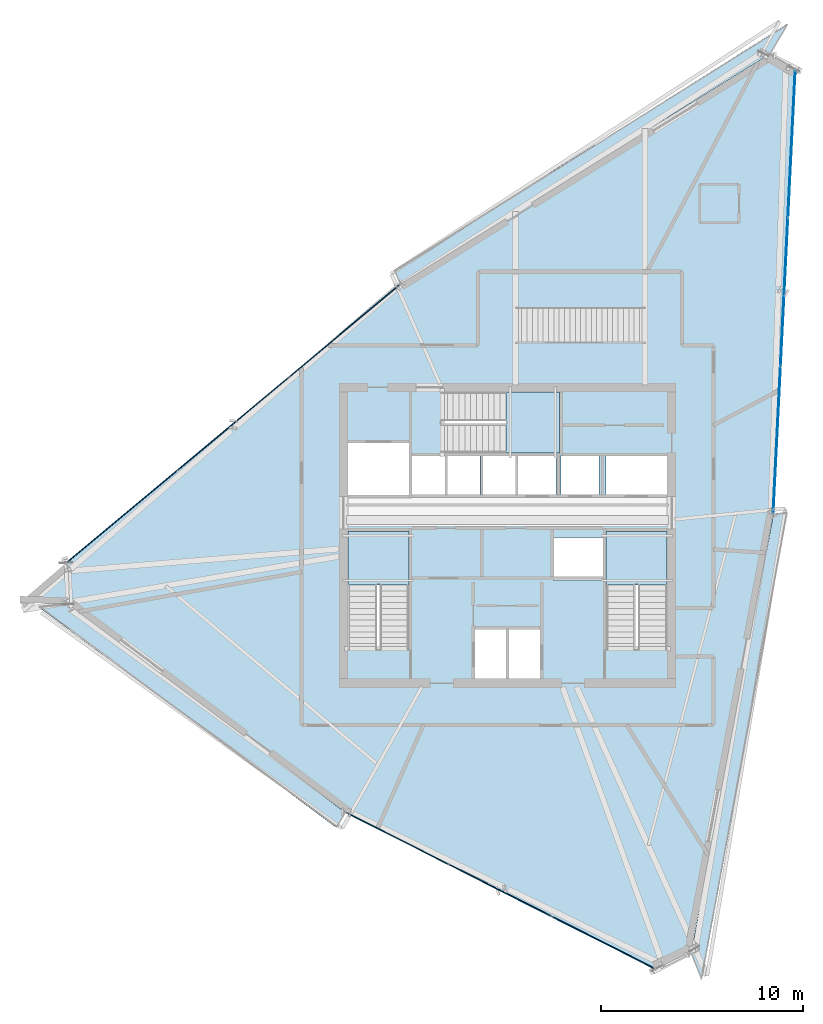
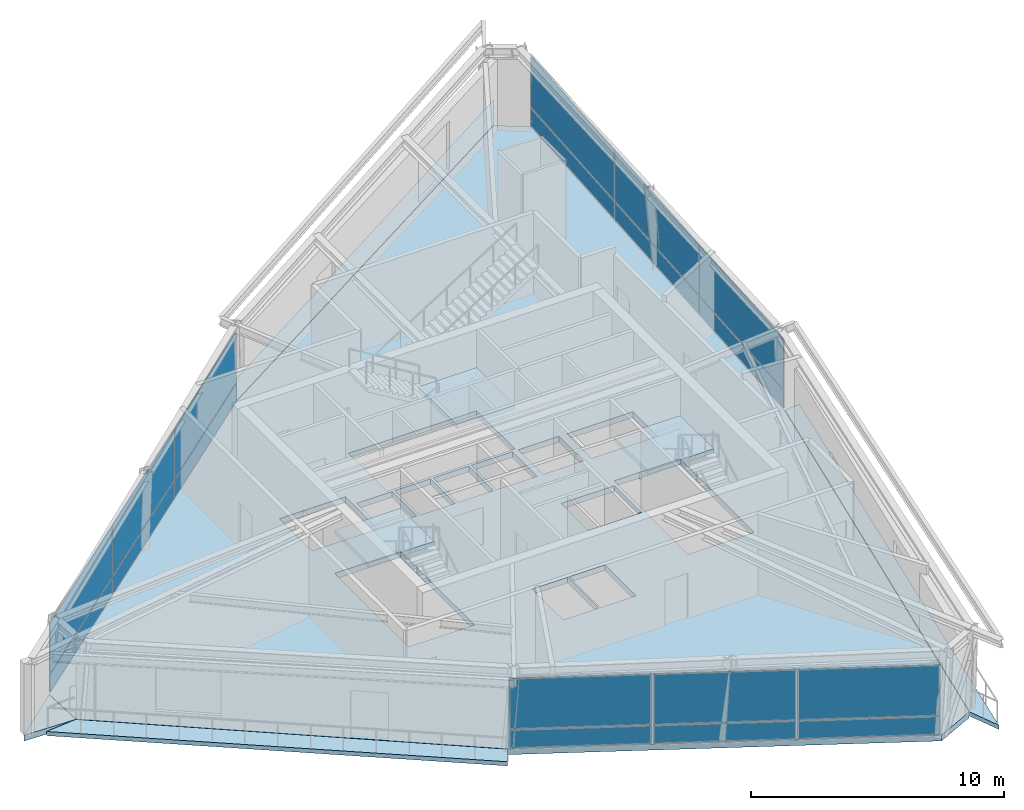
# One storey, part 13 of 21: 18 plates, 8 slabs, 6 elements without a shape of their own.
"""IFC4 building model written with IfcOpenShell, lengths in metres."""

from ifc_helpers import new_model, si_unit, direction, frame, origin, origin_2d, place, context, subcontext, project, spatial, polyline, rectangle, outline, extrude, source, transform, mapped, material, layer, layer_set, type_object, element, aggregate, save


model = new_model("IFC4")

# Units and contexts
model_context = context("Model", 3, precision=1e-05, world=origin(), true_north=direction((0.0, 1.0)))
body_context = subcontext(model_context, "Body", "Model", "MODEL_VIEW")
ifc_project = project(units=[si_unit("LENGTHUNIT", "METRE"), si_unit("AREAUNIT", "SQUARE_METRE"), si_unit("VOLUMEUNIT", "CUBIC_METRE"), si_unit("PLANEANGLEUNIT", "RADIAN"), si_unit("MASSUNIT", "GRAM", prefix="KILO")], contexts=[model_context])

# Site, building, storey
site_placement = place(None, origin())
site = spatial("IfcSite", under=ifc_project, at=site_placement, CompositionType="ELEMENT")
building_placement = place(site_placement, origin())
building = spatial("IfcBuilding", under=site, at=building_placement, Name="Olszyna Solenne Hotel", CompositionType="ELEMENT")
storey_placement = place(building_placement, frame((0.0, 0.0, 277.699951171875)))
storey = spatial("IfcBuildingStorey", under=building, at=storey_placement, Name="L74", CompositionType="ELEMENT", Elevation=277.699951171875)

# Stair, slab
ifc_material_1 = material(Name="Concrete C40/50", Category="concrete")
stair_type = type_object("IfcStairType", Name="STR-C1", PredefinedType="TWO_QUARTER_WINDING_STAIR", material=ifc_material_1)
stair_1_placement = place(storey_placement, origin())
stair_1 = element("IfcStair", 1, at=stair_1_placement, inside=storey, type_object=stair_type, Name="L74 ST1", PredefinedType="TWO_QUARTER_WINDING_STAIR")
ifc_layer_1 = layer(ifc_material_1, 0.18994140625, Name="Concrete C40/50")
ifc_layer_set_1 = layer_set([ifc_layer_1], Name="Concrete C40/50")
slab_type_1 = type_object("IfcSlabType", Name="SL-LN190", PredefinedType="LANDING", material=ifc_layer_set_1)
slab_1_placement = place(storey_placement, frame((0.0, 0.0, 1.900146484375)))
slab_1 = element("IfcSlab", 2, at=slab_1_placement, type_object=slab_type_1, Name="ST1 landing 1", PredefinedType="LANDING", context=body_context, shape_type="SweptSolid", body=[
    extrude(outline(polyline([(33.1201171875, 24.139892578125), (33.1201171875, 26.800048828125), (30.10009765625, 26.800048828125), (30.10009765625, 24.139892578125), (33.1201171875, 24.139892578125)])), origin(), (0.0, 0.0, 1.0), 0.199951171875),
])
aggregate(stair_1, [slab_1])

stair_2_placement = place(storey_placement, origin())
stair_2 = element("IfcStair", 3, at=stair_2_placement, inside=storey, type_object=stair_type, Name="L74 ST2", PredefinedType="TWO_QUARTER_WINDING_STAIR")
slab_2_placement = place(storey_placement, frame((0.0, 0.0, 1.900146484375)))
slab_2 = element("IfcSlab", 4, at=slab_2_placement, type_object=slab_type_1, Name="ST2 landing 1", PredefinedType="LANDING", context=body_context, shape_type="SweptSolid", body=[
    extrude(outline(polyline([(45.89990234375, 24.139892578125), (45.89990234375, 26.800048828125), (42.8798828125, 26.800048828125), (42.8798828125, 24.139892578125), (45.89990234375, 24.139892578125)])), origin(), (0.0, 0.0, 1.0), 0.199951171875),
])
aggregate(stair_2, [slab_2])

stair_3_placement = place(storey_placement, origin())
stair_3 = element("IfcStair", 5, at=stair_3_placement, inside=storey, type_object=stair_type, Name="L74 ST3", PredefinedType="TWO_QUARTER_WINDING_STAIR")
slab_3_placement = place(storey_placement, frame((0.0, 0.0, 1.900146484375)))
slab_3 = element("IfcSlab", 6, at=slab_3_placement, type_object=slab_type_1, Name="ST3 landing 1", PredefinedType="LANDING", context=body_context, shape_type="SweptSolid", body=[
    extrude(outline(polyline([(37.919921875, 30.679931640625), (40.580078125, 30.679931640625), (40.580078125, 33.699951171875), (37.919921875, 33.699951171875), (37.919921875, 30.679931640625)])), origin(), (0.0, 0.0, 1.0), 0.199951171875),
])
aggregate(stair_3, [slab_3])

# Slabs
ifc_material_2 = material(Name="Precast concrete C45/55", Category="concrete")
ifc_layer_2 = layer(ifc_material_2, 0.199951171875, Name="Precast concrete C45/55")
ifc_layer_set_2 = layer_set([ifc_layer_2], Name="Precast concrete C45/55")
slab_type_2 = type_object("IfcSlabType", Name="SL-LOG200", PredefinedType="FLOOR", material=ifc_layer_set_2)
slab_4_placement = place(storey_placement, frame((0.0, 0.0, -0.199951171875)))
element("IfcSlab", 7, at=slab_4_placement, inside=storey, type_object=slab_type_2, Name="Exterior loggia balcony slab SL-L74-LG1", PredefinedType="FLOOR", context=body_context, shape_type="SweptSolid", body=[
    extrude(outline(polyline([(32.68359375, 39.047607421875), (50.9833984375, 50.42138671875), (50.984619140625, 50.422119140625), (50.98583984375, 50.422607421875), (50.9873046875, 50.423095703125), (50.98876953125, 50.42333984375), (50.990234375, 50.423583984375), (50.99169921875, 50.423583984375), (50.9931640625, 50.423583984375), (50.99462890625, 50.423095703125), (50.99609375, 50.4228515625), (50.99755859375, 50.422119140625), (50.998779296875, 50.421630859375), (51.886474609375, 51.9482421875), (32.4150390625, 39.727783203125), (32.68359375, 39.047607421875)])), origin(), (0.0, 0.0, 1.0), 0.199951171875),
])
slab_5_placement = place(storey_placement, frame((0.0, 0.0, -0.199951171875)))
element("IfcSlab", 8, at=slab_5_placement, inside=storey, type_object=slab_type_2, Name="Exterior loggia balcony slab SL-L74-LG2", PredefinedType="FLOOR", context=body_context, shape_type="SweptSolid", body=[
    extrude(outline(polyline([(29.968994140625, 12.87646484375), (29.968505859375, 12.876708984375), (29.967529296875, 12.87744140625), (16.2099609375, 23.18896484375), (16.101318359375, 23.19189453125), (14.771240234375, 23.052978515625), (29.52880859375, 12.11962890625), (29.968994140625, 12.87646484375)])), origin(), (0.0, 0.0, 1.0), 0.199951171875),
])
slab_6_placement = place(storey_placement, frame((0.0, 0.0, -0.199951171875)))
element("IfcSlab", 9, at=slab_6_placement, inside=storey, type_object=slab_type_2, Name="Exterior loggia balcony slab SL-L74-LG3", PredefinedType="FLOOR", context=body_context, shape_type="SweptSolid", body=[
    extrude(outline(polyline([(51.168701171875, 27.64404296875), (51.168701171875, 27.6416015625), (51.16845703125, 27.6396484375), (47.092529296875, 5.96630859375), (47.09228515625, 5.96484375), (47.091796875, 5.96337890625), (47.09130859375, 5.962158203125), (47.090576171875, 5.9609375), (47.08984375, 5.9599609375), (47.0888671875, 5.958740234375), (47.087890625, 5.957763671875), (47.0869140625, 5.956787109375), (47.085693359375, 5.956298828125), (47.08447265625, 5.95556640625), (47.08349609375, 5.955078125), (47.62646484375, 4.580322265625), (51.875732421875, 27.7177734375), (51.168701171875, 27.64404296875)])), origin(), (0.0, 0.0, 1.0), 0.199951171875),
])
ifc_material_3 = material(Name="Concrete C50/60", Category="concrete")
ifc_layer_3 = layer(ifc_material_3, 0.280029296875, Name="Concrete C50/60")
ifc_layer_set_3 = layer_set([ifc_layer_3], Name="Concrete C50/60")
slab_type_3 = type_object("IfcSlabType", Name="SL-OB280", PredefinedType="FLOOR", material=ifc_layer_set_3)
slab_7_placement = place(storey_placement, frame((0.0, 0.0, -0.280029296875)))
element("IfcSlab", 10, at=slab_7_placement, inside=storey, type_object=slab_type_3, Name="Floor slab SL-OB280 SL-L74-01", PredefinedType="FLOOR", context=body_context, shape_type="SweptSolid", body=[
    extrude(outline(polyline([(52.25048828125, 49.66845703125), (50.9912109375, 50.40869140625), (32.689208984375, 39.033447265625), (16.14453125, 25.226806640625), (16.215087890625, 23.203857421875), (29.9765625, 12.889404296875), (45.32080078125, 5.123291015625), (47.077880859375, 5.968994140625), (51.15380859375, 27.642333984375), (52.25048828125, 49.66845703125)]), holes=[polyline([(30.10009765625, 20.949951171875), (33.1201171875, 20.949951171875), (33.1201171875, 26.800048828125), (30.10009765625, 26.800048828125), (30.10009765625, 20.949951171875)]), polyline([(42.8798828125, 20.949951171875), (45.89990234375, 20.949951171875), (45.89990234375, 26.800048828125), (42.8798828125, 26.800048828125), (42.8798828125, 20.949951171875)]), polyline([(34.72998046875, 30.679931640625), (40.580078125, 30.679931640625), (40.580078125, 33.699951171875), (34.72998046875, 33.699951171875), (34.72998046875, 30.679931640625)]), polyline([(36.340087890625, 19.5), (37.9599609375, 19.5), (37.9599609375, 21.9599609375), (36.340087890625, 21.9599609375), (36.340087890625, 19.5)]), polyline([(38.0400390625, 19.5), (39.659912109375, 19.5), (39.659912109375, 21.9599609375), (38.0400390625, 21.9599609375), (38.0400390625, 19.5)]), polyline([(30.10009765625, 28.60009765625), (33.1201171875, 28.60009765625), (33.1201171875, 31.159912109375), (30.10009765625, 31.159912109375), (30.10009765625, 28.60009765625)]), polyline([(40.280029296875, 24.360107421875), (42.719970703125, 24.360107421875), (42.719970703125, 26.5), (40.280029296875, 26.5), (40.280029296875, 24.360107421875)]), polyline([(33.280029296875, 28.60009765625), (34.89990234375, 28.60009765625), (34.89990234375, 30.550048828125), (33.280029296875, 30.550048828125), (33.280029296875, 28.60009765625)]), polyline([(35.030029296875, 28.60009765625), (36.64990234375, 28.60009765625), (36.64990234375, 30.550048828125), (35.030029296875, 30.550048828125), (35.030029296875, 28.60009765625)]), polyline([(36.780029296875, 28.60009765625), (38.39990234375, 28.60009765625), (38.39990234375, 30.550048828125), (36.780029296875, 30.550048828125), (36.780029296875, 28.60009765625)]), polyline([(38.530029296875, 28.60009765625), (40.389892578125, 28.60009765625), (40.389892578125, 30.550048828125), (38.530029296875, 30.550048828125), (38.530029296875, 28.60009765625)]), polyline([(40.659912109375, 28.60009765625), (42.52001953125, 28.60009765625), (42.52001953125, 30.550048828125), (40.659912109375, 30.550048828125), (40.659912109375, 28.60009765625)]), polyline([(42.8798828125, 28.60009765625), (45.89990234375, 28.60009765625), (45.89990234375, 30.550048828125), (42.8798828125, 30.550048828125), (42.8798828125, 28.60009765625)])]), origin(), (0.0, 0.0, 1.0), 0.280029296875),
])
slab_8_placement = place(storey_placement, frame((0.0, 0.0, -0.280029296875)))
element("IfcSlab", 11, at=slab_8_placement, inside=storey, type_object=slab_type_3, Name="Faceted glass-prism floor slab SL-L74-PR", PredefinedType="FLOOR", context=body_context, shape_type="SweptSolid", body=[
    extrude(outline(polyline([(16.205078125, 23.2041015625), (16.134765625, 25.218505859375), (13.861572265625, 23.267578125), (16.205078125, 23.2041015625)])), origin(), (0.0, 0.0, 1.0), 0.280029296875),
])

# Curtain wall, plates
ifc_material_4 = material(Name="Anodised bronze aluminium", Category="aluminium")
curtain_wall_type = type_object("IfcCurtainWallType", Name="CW-SYS-7", PredefinedType="NOTDEFINED", material=ifc_material_4)
curtain_wall_1_placement = place(storey_placement, origin())
curtain_wall_1 = element("IfcCurtainWall", 12, at=curtain_wall_1_placement, inside=storey, type_object=curtain_wall_type, Name="Unitised curtain wall CW-SYS-7 CW-L74-01", PredefinedType="NOTDEFINED")
ifc_material_5 = material(Name="Terracotta cladding", Category="masonry")
plate_type_1 = type_object("IfcPlateType", Name="PN-SP1", PredefinedType="CURTAIN_PANEL", material=ifc_material_5)
shared_shape_1 = source(origin(), body_context, "Body", "SweptSolid", [
    extrude(rectangle(XDim=5.635009765625, YDim=0.048095703125, at=origin_2d()), origin(), (0.0, 0.0, 1.0), 0.8525390625),
])
plate_1_placement = place(storey_placement, frame((32.54833984375, 11.587646484375, 0.06494140625), z_axis=(0.0, 0.0, 1.0), x_axis=(0.892233676771, -0.451573987333, 0.0)))
plate_1 = element("IfcPlate", 13, at=plate_1_placement, type_object=plate_type_1, Name="Curtain-wall panel PN-SP1 CP-L74-01-01", PredefinedType="CURTAIN_PANEL", context=body_context, shape_type="MappedRepresentation", body=[
    mapped(shared_shape_1, transform((0.0, 0.0, 0.0), x_axis=(1.0, 0.0, 0.0), y_axis=(0.0, 1.0, 0.0), z_axis=(0.0, 0.0, 1.0), scale=1.0)),
])
plate_2_placement = place(storey_placement, frame((42.7490234375, 6.425048828125, 0.06494140625), z_axis=(0.0, 0.0, 1.0), x_axis=(0.892233676771, -0.451573987333, 0.0)))
plate_2 = element("IfcPlate", 14, at=plate_2_placement, type_object=plate_type_1, Name="Curtain-wall panel PN-SP1 CP-L74-01-05", PredefinedType="CURTAIN_PANEL", context=body_context, shape_type="MappedRepresentation", body=[
    mapped(shared_shape_1, transform((0.0, 0.0, 0.0), x_axis=(1.0, 0.0, 0.0), y_axis=(0.0, 1.0, 0.0), z_axis=(0.0, 0.0, 1.0), scale=1.0)),
])
ifc_material_6 = material(Name="Low-E triple glazing", Category="glass")
plate_type_2 = type_object("IfcPlateType", Name="PN-GL2", PredefinedType="CURTAIN_PANEL", material=ifc_material_6)
shared_shape_2 = source(origin(), body_context, "Body", "SweptSolid", [
    extrude(rectangle(XDim=5.635009765625, YDim=0.048095703125, at=origin_2d()), origin(), (0.0, 0.0, 1.0), 2.41455078125),
])
plate_3_placement = place(storey_placement, frame((32.54833984375, 11.587646484375, 0.982421875), z_axis=(0.0, 0.0, 1.0), x_axis=(0.892233676771, -0.451573987333, 0.0)))
plate_3 = element("IfcPlate", 15, at=plate_3_placement, type_object=plate_type_2, Name="Curtain-wall panel PN-GL2 CP-L74-01-02", PredefinedType="CURTAIN_PANEL", context=body_context, shape_type="MappedRepresentation", body=[
    mapped(shared_shape_2, transform((0.0, 0.0, 0.0), x_axis=(1.0, 0.0, 0.0), y_axis=(0.0, 1.0, 0.0), z_axis=(0.0, 0.0, 1.0), scale=1.0)),
])
plate_4_placement = place(storey_placement, frame((42.7490234375, 6.425048828125, 0.982421875), z_axis=(0.0, 0.0, 1.0), x_axis=(0.892233676771, -0.451573987333, 0.0)))
plate_4 = element("IfcPlate", 16, at=plate_4_placement, type_object=plate_type_2, Name="Curtain-wall panel PN-GL2 CP-L74-01-06", PredefinedType="CURTAIN_PANEL", context=body_context, shape_type="MappedRepresentation", body=[
    mapped(shared_shape_2, transform((0.0, 0.0, 0.0), x_axis=(1.0, 0.0, 0.0), y_axis=(0.0, 1.0, 0.0), z_axis=(0.0, 0.0, 1.0), scale=1.0)),
])
shared_shape_3 = source(origin(), body_context, "Body", "SweptSolid", [
    extrude(rectangle(XDim=5.66748046875, YDim=0.048095703125, at=origin_2d()), origin(), (0.0, 0.0, 1.0), 0.8525390625),
])
plate_5_placement = place(storey_placement, frame((37.648681640625, 9.00634765625, 0.06494140625), z_axis=(0.0, 0.0, 1.0), x_axis=(0.892233676771, -0.451573987333, 0.0)))
plate_5 = element("IfcPlate", 17, at=plate_5_placement, type_object=plate_type_1, Name="Curtain-wall panel PN-SP1 CP-L74-01-03", PredefinedType="CURTAIN_PANEL", context=body_context, shape_type="MappedRepresentation", body=[
    mapped(shared_shape_3, transform((0.0, 0.0, 0.0), x_axis=(1.0, 0.0, 0.0), y_axis=(0.0, 1.0, 0.0), z_axis=(0.0, 0.0, 1.0), scale=1.0)),
])
shared_shape_4 = source(origin(), body_context, "Body", "SweptSolid", [
    extrude(rectangle(XDim=5.66748046875, YDim=0.048095703125, at=origin_2d()), origin(), (0.0, 0.0, 1.0), 2.41455078125),
])
plate_6_placement = place(storey_placement, frame((37.648681640625, 9.00634765625, 0.982421875), z_axis=(0.0, 0.0, 1.0), x_axis=(0.892233676771, -0.451573987333, 0.0)))
plate_6 = element("IfcPlate", 18, at=plate_6_placement, type_object=plate_type_2, Name="Curtain-wall panel PN-GL2 CP-L74-01-04", PredefinedType="CURTAIN_PANEL", context=body_context, shape_type="MappedRepresentation", body=[
    mapped(shared_shape_4, transform((0.0, 0.0, 0.0), x_axis=(1.0, 0.0, 0.0), y_axis=(0.0, 1.0, 0.0), z_axis=(0.0, 0.0, 1.0), scale=1.0)),
])
aggregate(curtain_wall_1, [plate_1, plate_3, plate_5, plate_6, plate_2, plate_4])

curtain_wall_2_placement = place(storey_placement, origin())
curtain_wall_2 = element("IfcCurtainWall", 19, at=curtain_wall_2_placement, inside=storey, type_object=curtain_wall_type, Name="Unitised curtain wall CW-SYS-7 CW-L74-02", PredefinedType="NOTDEFINED")
shared_shape_5 = source(origin(), body_context, "Body", "SweptSolid", [
    extrude(rectangle(XDim=7.08544921875, YDim=0.048095703125, at=origin_2d()), origin(), (0.0, 0.0, 1.0), 0.8525390625),
])
plate_7_placement = place(storey_placement, frame((18.91455078125, 27.538330078125, 0.06494140625), z_axis=(0.0, 0.0, 1.0), x_axis=(0.76777909773, 0.640714645601, 0.0)))
plate_7 = element("IfcPlate", 20, at=plate_7_placement, type_object=plate_type_1, Name="Curtain-wall panel PN-SP1 CP-L74-02-01", PredefinedType="CURTAIN_PANEL", context=body_context, shape_type="MappedRepresentation", body=[
    mapped(shared_shape_5, transform((0.0, 0.0, 0.0), x_axis=(1.0, 0.0, 0.0), y_axis=(0.0, 1.0, 0.0), z_axis=(0.0, 0.0, 1.0), scale=1.0)),
])
plate_8_placement = place(storey_placement, frame((29.91943359375, 36.721923828125, 0.06494140625), z_axis=(0.0, 0.0, 1.0), x_axis=(0.76777909773, 0.640714645601, 0.0)))
plate_8 = element("IfcPlate", 21, at=plate_8_placement, type_object=plate_type_1, Name="Curtain-wall panel PN-SP1 CP-L74-02-05", PredefinedType="CURTAIN_PANEL", context=body_context, shape_type="MappedRepresentation", body=[
    mapped(shared_shape_5, transform((0.0, 0.0, 0.0), x_axis=(1.0, 0.0, 0.0), y_axis=(0.0, 1.0, 0.0), z_axis=(0.0, 0.0, 1.0), scale=1.0)),
])
shared_shape_6 = source(origin(), body_context, "Body", "SweptSolid", [
    extrude(rectangle(XDim=7.08544921875, YDim=0.048095703125, at=origin_2d()), origin(), (0.0, 0.0, 1.0), 2.41455078125),
])
plate_9_placement = place(storey_placement, frame((18.91455078125, 27.538330078125, 0.982421875), z_axis=(0.0, 0.0, 1.0), x_axis=(0.76777909773, 0.640714645601, 0.0)))
plate_9 = element("IfcPlate", 22, at=plate_9_placement, type_object=plate_type_2, Name="Curtain-wall panel PN-GL2 CP-L74-02-02", PredefinedType="CURTAIN_PANEL", context=body_context, shape_type="MappedRepresentation", body=[
    mapped(shared_shape_6, transform((0.0, 0.0, 0.0), x_axis=(1.0, 0.0, 0.0), y_axis=(0.0, 1.0, 0.0), z_axis=(0.0, 0.0, 1.0), scale=1.0)),
])
plate_10_placement = place(storey_placement, frame((29.91943359375, 36.721923828125, 0.982421875), z_axis=(0.0, 0.0, 1.0), x_axis=(0.76777909773, 0.640714645601, 0.0)))
plate_10 = element("IfcPlate", 23, at=plate_10_placement, type_object=plate_type_2, Name="Curtain-wall panel PN-GL2 CP-L74-02-06", PredefinedType="CURTAIN_PANEL", context=body_context, shape_type="MappedRepresentation", body=[
    mapped(shared_shape_6, transform((0.0, 0.0, 0.0), x_axis=(1.0, 0.0, 0.0), y_axis=(0.0, 1.0, 0.0), z_axis=(0.0, 0.0, 1.0), scale=1.0)),
])
shared_shape_7 = source(origin(), body_context, "Body", "SweptSolid", [
    extrude(rectangle(XDim=7.117919921875, YDim=0.048095703125, at=origin_2d()), origin(), (0.0, 0.0, 1.0), 0.8525390625),
])
plate_11_placement = place(storey_placement, frame((24.4169921875, 32.130126953125, 0.06494140625), z_axis=(0.0, 0.0, 1.0), x_axis=(0.76777909773, 0.640714645601, 0.0)))
plate_11 = element("IfcPlate", 24, at=plate_11_placement, type_object=plate_type_1, Name="Curtain-wall panel PN-SP1 CP-L74-02-03", PredefinedType="CURTAIN_PANEL", context=body_context, shape_type="MappedRepresentation", body=[
    mapped(shared_shape_7, transform((0.0, 0.0, 0.0), x_axis=(1.0, 0.0, 0.0), y_axis=(0.0, 1.0, 0.0), z_axis=(0.0, 0.0, 1.0), scale=1.0)),
])
shared_shape_8 = source(origin(), body_context, "Body", "SweptSolid", [
    extrude(rectangle(XDim=7.117919921875, YDim=0.048095703125, at=origin_2d()), origin(), (0.0, 0.0, 1.0), 2.41455078125),
])
plate_12_placement = place(storey_placement, frame((24.4169921875, 32.130126953125, 0.982421875), z_axis=(0.0, 0.0, 1.0), x_axis=(0.76777909773, 0.640714645601, 0.0)))
plate_12 = element("IfcPlate", 25, at=plate_12_placement, type_object=plate_type_2, Name="Curtain-wall panel PN-GL2 CP-L74-02-04", PredefinedType="CURTAIN_PANEL", context=body_context, shape_type="MappedRepresentation", body=[
    mapped(shared_shape_8, transform((0.0, 0.0, 0.0), x_axis=(1.0, 0.0, 0.0), y_axis=(0.0, 1.0, 0.0), z_axis=(0.0, 0.0, 1.0), scale=1.0)),
])
aggregate(curtain_wall_2, [plate_7, plate_9, plate_11, plate_12, plate_8, plate_10])

curtain_wall_3_placement = place(storey_placement, origin())
curtain_wall_3 = element("IfcCurtainWall", 26, at=curtain_wall_3_placement, inside=storey, type_object=curtain_wall_type, Name="Unitised curtain wall CW-SYS-7 CW-L74-03", PredefinedType="NOTDEFINED")
shared_shape_9 = source(origin(), body_context, "Body", "SweptSolid", [
    extrude(rectangle(XDim=7.253662109375, YDim=0.048095703125, at=origin_2d()), origin(), (0.0, 0.0, 1.0), 0.8525390625),
])
plate_13_placement = place(storey_placement, frame((51.33740234375, 31.32958984375, 0.06494140625), z_axis=(0.0, 0.0, 1.0), x_axis=(0.049729325113, 0.998762731695, 0.0)))
plate_13 = element("IfcPlate", 27, at=plate_13_placement, type_object=plate_type_1, Name="Curtain-wall panel PN-SP1 CP-L74-03-01", PredefinedType="CURTAIN_PANEL", context=body_context, shape_type="MappedRepresentation", body=[
    mapped(shared_shape_9, transform((0.0, 0.0, 0.0), x_axis=(1.0, 0.0, 0.0), y_axis=(0.0, 1.0, 0.0), z_axis=(0.0, 0.0, 1.0), scale=1.0)),
])
plate_14_placement = place(storey_placement, frame((52.06689453125, 45.981201171875, 0.06494140625), z_axis=(0.0, 0.0, 1.0), x_axis=(0.049729325113, 0.998762731695, 0.0)))
plate_14 = element("IfcPlate", 28, at=plate_14_placement, type_object=plate_type_1, Name="Curtain-wall panel PN-SP1 CP-L74-03-05", PredefinedType="CURTAIN_PANEL", context=body_context, shape_type="MappedRepresentation", body=[
    mapped(shared_shape_9, transform((0.0, 0.0, 0.0), x_axis=(1.0, 0.0, 0.0), y_axis=(0.0, 1.0, 0.0), z_axis=(0.0, 0.0, 1.0), scale=1.0)),
])
shared_shape_10 = source(origin(), body_context, "Body", "SweptSolid", [
    extrude(rectangle(XDim=7.253662109375, YDim=0.048095703125, at=origin_2d()), origin(), (0.0, 0.0, 1.0), 2.41455078125),
])
plate_15_placement = place(storey_placement, frame((51.33740234375, 31.32958984375, 0.982421875), z_axis=(0.0, 0.0, 1.0), x_axis=(0.049729325113, 0.998762731695, 0.0)))
plate_15 = element("IfcPlate", 29, at=plate_15_placement, type_object=plate_type_2, Name="Curtain-wall panel PN-GL2 CP-L74-03-02", PredefinedType="CURTAIN_PANEL", context=body_context, shape_type="MappedRepresentation", body=[
    mapped(shared_shape_10, transform((0.0, 0.0, 0.0), x_axis=(1.0, 0.0, 0.0), y_axis=(0.0, 1.0, 0.0), z_axis=(0.0, 0.0, 1.0), scale=1.0)),
])
plate_16_placement = place(storey_placement, frame((52.06689453125, 45.981201171875, 0.982421875), z_axis=(0.0, 0.0, 1.0), x_axis=(0.049729325113, 0.998762731695, 0.0)))
plate_16 = element("IfcPlate", 30, at=plate_16_placement, type_object=plate_type_2, Name="Curtain-wall panel PN-GL2 CP-L74-03-06", PredefinedType="CURTAIN_PANEL", context=body_context, shape_type="MappedRepresentation", body=[
    mapped(shared_shape_10, transform((0.0, 0.0, 0.0), x_axis=(1.0, 0.0, 0.0), y_axis=(0.0, 1.0, 0.0), z_axis=(0.0, 0.0, 1.0), scale=1.0)),
])
shared_shape_11 = source(origin(), body_context, "Body", "SweptSolid", [
    extrude(rectangle(XDim=7.2861328125, YDim=0.048095703125, at=origin_2d()), origin(), (0.0, 0.0, 1.0), 0.8525390625),
])
plate_17_placement = place(storey_placement, frame((51.7021484375, 38.655517578125, 0.06494140625), z_axis=(0.0, 0.0, 1.0), x_axis=(0.049729325113, 0.998762731695, 0.0)))
plate_17 = element("IfcPlate", 31, at=plate_17_placement, type_object=plate_type_1, Name="Curtain-wall panel PN-SP1 CP-L74-03-03", PredefinedType="CURTAIN_PANEL", context=body_context, shape_type="MappedRepresentation", body=[
    mapped(shared_shape_11, transform((0.0, 0.0, 0.0), x_axis=(1.0, 0.0, 0.0), y_axis=(0.0, 1.0, 0.0), z_axis=(0.0, 0.0, 1.0), scale=1.0)),
])
shared_shape_12 = source(origin(), body_context, "Body", "SweptSolid", [
    extrude(rectangle(XDim=7.2861328125, YDim=0.048095703125, at=origin_2d()), origin(), (0.0, 0.0, 1.0), 2.41455078125),
])
plate_18_placement = place(storey_placement, frame((51.7021484375, 38.655517578125, 0.982421875), z_axis=(0.0, 0.0, 1.0), x_axis=(0.049729325113, 0.998762731695, 0.0)))
plate_18 = element("IfcPlate", 32, at=plate_18_placement, type_object=plate_type_2, Name="Curtain-wall panel PN-GL2 CP-L74-03-04", PredefinedType="CURTAIN_PANEL", context=body_context, shape_type="MappedRepresentation", body=[
    mapped(shared_shape_12, transform((0.0, 0.0, 0.0), x_axis=(1.0, 0.0, 0.0), y_axis=(0.0, 1.0, 0.0), z_axis=(0.0, 0.0, 1.0), scale=1.0)),
])
aggregate(curtain_wall_3, [plate_13, plate_15, plate_17, plate_18, plate_14, plate_16])

save(model, "model.ifc")
